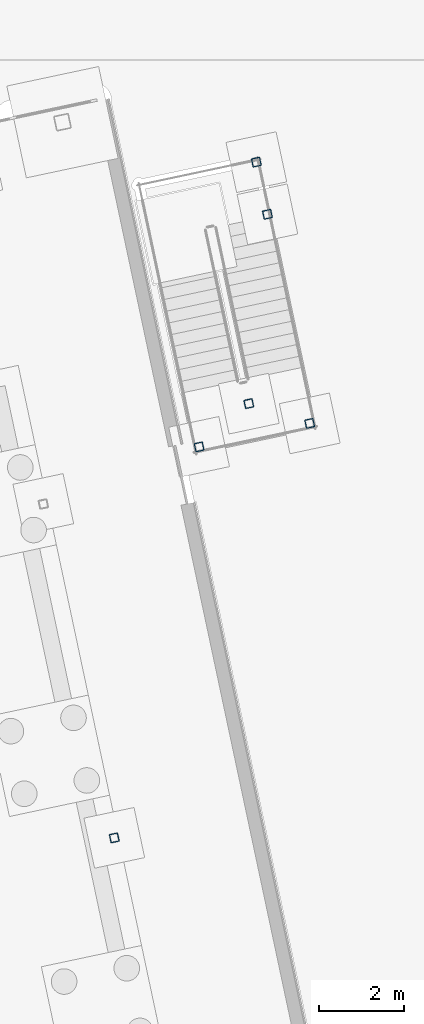
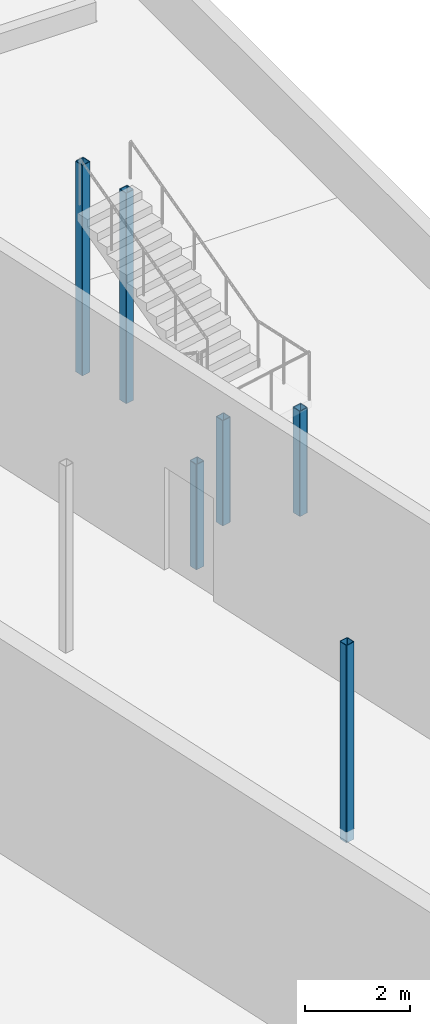
# One storey, part 27 of 157: 6 columns.
"""IFC4 building model written with IfcOpenShell, lengths in metres."""

from ifc_helpers import new_model, si_unit, direction, frame, origin, origin_2d, place, context, subcontext, project, spatial, hollow_rectangle, extrude, material, material_profile, profile_set, type_object, element, save


model = new_model("IFC4")

# Units and contexts
model_context = context("Model", 3, precision=1e-05, world=origin(), true_north=direction((0.0, 1.0)))
body_context = subcontext(model_context, "Body", "Model", "MODEL_VIEW")
ifc_project = project(units=[si_unit("LENGTHUNIT", "METRE"), si_unit("AREAUNIT", "SQUARE_METRE"), si_unit("VOLUMEUNIT", "CUBIC_METRE"), si_unit("PLANEANGLEUNIT", "RADIAN"), si_unit("MASSUNIT", "GRAM", prefix="KILO")], contexts=[model_context])

# Site, building, storey
site_placement = place(None, origin())
site = spatial("IfcSite", under=ifc_project, at=site_placement, CompositionType="ELEMENT")
building_placement = place(site_placement, origin())
building = spatial("IfcBuilding", under=site, at=building_placement, Name="Windward Yard Aquatics Centre", CompositionType="ELEMENT")
storey_placement = place(building_placement, origin())
storey = spatial("IfcBuildingStorey", under=building, at=storey_placement, Name="L00", CompositionType="ELEMENT", Elevation=0.0)

# Columns
ifc_material = material(Name="Steel ASTM A500 Gr C", Category="steel")
ifc_material_profile = material_profile(ifc_material, hollow_rectangle(XDim=0.203125, YDim=0.203125, WallThickness=0.0126953125, InnerFilletRadius=0.00634765625, OuterFilletRadius=0.01904296875, at=origin_2d()), Name="HSS203X203X12.7")
ifc_profile_set = profile_set([ifc_material_profile], Name="Steel ASTM A500 Gr C")
column_type = type_object("IfcColumnType", Name="D column HSS203X203X12.7", PredefinedType="COLUMN", material=ifc_profile_set)
column_placement = place(storey_placement, frame((193.35693359375, 65.26416015625, -0.25), z_axis=(0.0, 0.0, 1.0), x_axis=(0.978147600734, 0.207911690818, 0.0)))
element("IfcColumn", 1, at=column_placement, inside=storey, type_object=column_type, Name="D.COL.G3", PredefinedType="COLUMN", context=body_context, shape_type="SweptSolid", body=[
    extrude(hollow_rectangle(XDim=0.203125, YDim=0.203125, WallThickness=0.0126953125, InnerFilletRadius=0.00634765625, OuterFilletRadius=0.01904296875, at=origin_2d()), origin(), (0.0, 0.0, 1.0), 4.593994140625),
])
for number, where, z_axis, x_axis, name in (
    (2, (196.946533203125, 79.8798828125, -0.14990234375), (0.0, 0.0, 1.0), (0.978147600734, 0.207911690818, 0.0), "D.COL.E1"),
    (3, (196.686767578125, 81.1025390625, -0.14990234375), (0.0, 0.0, 1.0), (0.978147600734, 0.207911690818, 0.0), "D.COL.E2"),
):
    element("IfcColumn", number, at=place(storey_placement, frame(where, z_axis=z_axis, x_axis=x_axis)), inside=storey, type_object=column_type, Name=name, PredefinedType="COLUMN", context=body_context, shape_type="SweptSolid", body=[
        extrude(hollow_rectangle(XDim=0.203125, YDim=0.203125, WallThickness=0.0126953125, InnerFilletRadius=0.00634765625, OuterFilletRadius=0.01904296875, at=origin_2d()), origin(), (0.0, 0.0, 1.0), 4.89990234375),
    ])
for number, where, z_axis, x_axis, name in (
    (4, (195.34521484375, 74.427734375, -0.14990234375), (0.0, 0.0, 1.0), (0.978147600734, 0.207911690818, 0.0), "D.COL.E3"),
    (5, (197.937255859375, 74.978759765625, -0.14990234375), (0.0, 0.0, 1.0), (0.978147600734, 0.207911690818, 0.0), "D.COL.E4"),
    (6, (196.509765625, 75.442138671875, -0.14990234375), (0.0, 0.0, 1.0), (0.978147600734, 0.207911690818, 0.0), "D.COL.E5"),
):
    element("IfcColumn", number, at=place(storey_placement, frame(where, z_axis=z_axis, x_axis=x_axis)), inside=storey, type_object=column_type, Name=name, PredefinedType="COLUMN", context=body_context, shape_type="SweptSolid", body=[
        extrude(hollow_rectangle(XDim=0.203125, YDim=0.203125, WallThickness=0.0126953125, InnerFilletRadius=0.00634765625, OuterFilletRadius=0.01904296875, at=origin_2d()), origin(), (0.0, 0.0, 1.0), 2.449951171875),
    ])

save(model, "model.ifc")
